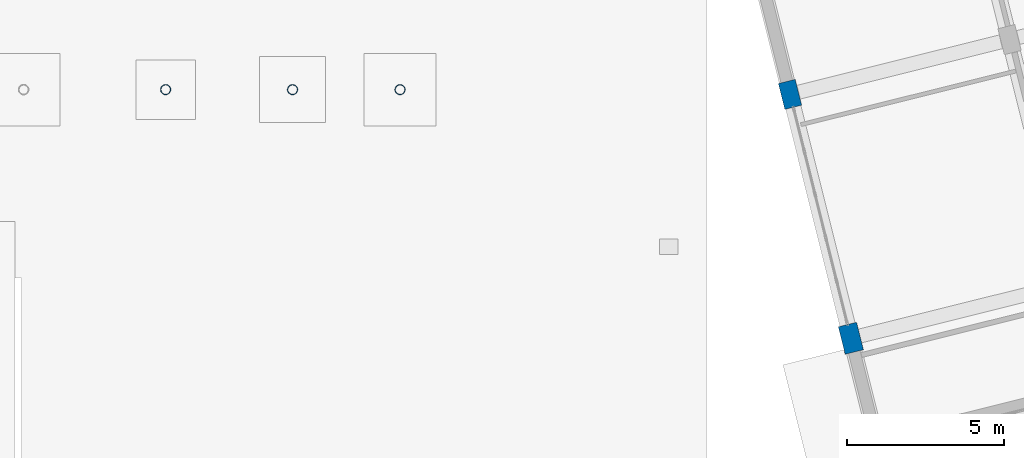
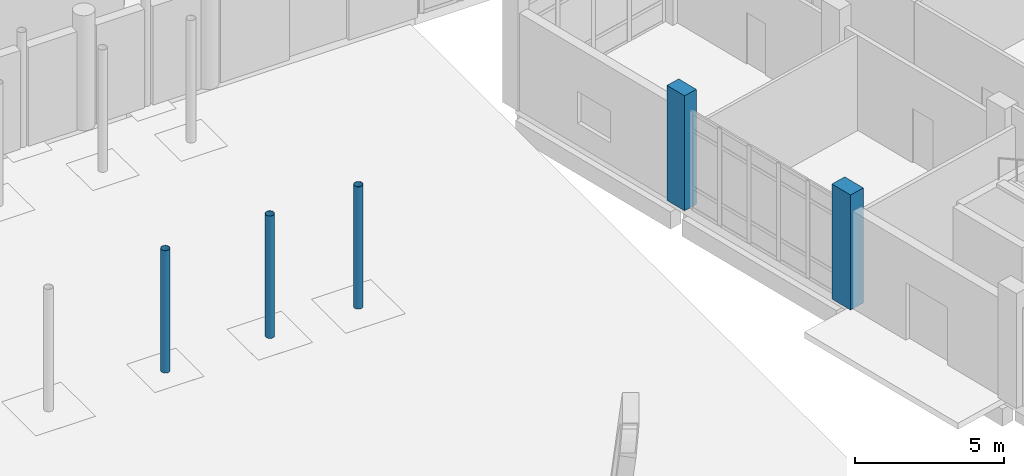
# One storey, part 14 of 173: 5 columns.
"""IFC4 building model written with IfcOpenShell, lengths in metres."""

from ifc_helpers import new_model, si_unit, direction, frame, origin, origin_2d, place, context, subcontext, project, spatial, rectangle, hollow_circle, extrude, material, material_profile, profile_set, type_object, element, save


model = new_model("IFC4")

# Units and contexts
model_context = context("Model", 3, precision=1e-05, world=origin(), true_north=direction((0.0, 1.0)))
body_context = subcontext(model_context, "Body", "Model", "MODEL_VIEW")
ifc_project = project(units=[si_unit("LENGTHUNIT", "METRE"), si_unit("AREAUNIT", "SQUARE_METRE"), si_unit("VOLUMEUNIT", "CUBIC_METRE"), si_unit("PLANEANGLEUNIT", "RADIAN"), si_unit("MASSUNIT", "GRAM", prefix="KILO")], contexts=[model_context])

# Site, building, storey
site_placement = place(None, origin())
site = spatial("IfcSite", under=ifc_project, at=site_placement, CompositionType="ELEMENT")
building_placement = place(site_placement, origin())
building = spatial("IfcBuilding", under=site, at=building_placement, Name="Mawjan Specialist Oncology Clinic", CompositionType="ELEMENT")
storey_placement = place(building_placement, origin())
storey = spatial("IfcBuildingStorey", under=building, at=storey_placement, Name="L00", CompositionType="ELEMENT", Elevation=0.0)

# Columns
ifc_material_1 = material(Name="Concrete C45/55", Category="concrete")
ifc_material_profile_1 = material_profile(ifc_material_1, rectangle(XDim=0.550048828125, YDim=0.85009765625, at=origin_2d()), Name="RC COL 550x850", Category="concrete")
ifc_profile_set_1 = profile_set([ifc_material_profile_1], Name="Concrete C45/55")
column_type_1 = type_object("IfcColumnType", Name="C-550x850", PredefinedType="COLUMN", material=ifc_profile_set_1)
column_1_placement = place(storey_placement, frame((118.258544921875, 31.849365234375, 0.0), z_axis=(0.0, 0.0, 1.0), x_axis=(0.970295726276, 0.2419218956, 0.0)))
element("IfcColumn", 1, at=column_1_placement, inside=storey, type_object=column_type_1, Name="L00 Column R-RA-R5", PredefinedType="COLUMN", context=body_context, shape_type="SweptSolid", body=[
    extrude(rectangle(XDim=0.550048828125, YDim=0.85009765625, at=origin_2d()), origin(), (0.0, 0.0, 1.0), 4.699951171875),
])
ifc_material_2 = material(Name="Concrete C45/55", Category="concrete")
ifc_material_profile_2 = material_profile(ifc_material_2, rectangle(XDim=0.60009765625, YDim=0.89990234375, at=origin_2d()), Name="RC COL 600x900", Category="concrete")
ifc_profile_set_2 = profile_set([ifc_material_profile_2], Name="Concrete C45/55")
column_type_2 = type_object("IfcColumnType", Name="C-600x900", PredefinedType="COLUMN", material=ifc_profile_set_2)
column_2_placement = place(storey_placement, frame((120.19384765625, 24.087158203125, 0.0), z_axis=(0.0, 0.0, 1.0), x_axis=(0.970295726276, 0.2419218956, 0.0)))
element("IfcColumn", 2, at=column_2_placement, inside=storey, type_object=column_type_2, Name="L00 Column R-RA-R4", PredefinedType="COLUMN", context=body_context, shape_type="SweptSolid", body=[
    extrude(rectangle(XDim=0.60009765625, YDim=0.89990234375, at=origin_2d()), origin(), (0.0, 0.0, 1.0), 4.699951171875),
])
ifc_material_3 = material(Name="Structural steel S355", Category="steel")
ifc_material_profile_3 = material_profile(ifc_material_3, hollow_circle(Radius=0.161865234375, WallThickness=0.011962890625, at=origin_2d()), Name="CHS 323.9x12", Category="steel")
ifc_profile_set_3 = profile_set([ifc_material_profile_3], Name="Structural steel S355")
column_type_3 = type_object("IfcColumnType", Name="SC-CHS324", PredefinedType="COLUMN", material=ifc_profile_set_3)
for number, where, z_axis, x_axis, name in (
    (3, (98.388671875, 32.0, 0.0), (0.0, 0.0, 1.0), (1.0, 0.0, 0.0), "Courtyard Canopy Column 9 L00"),
    (4, (102.426513671875, 32.0, 0.0), (0.0, 0.0, 1.0), (1.0, 0.0, 0.0), "Courtyard Canopy Column 10 L00"),
    (5, (105.847412109375, 32.0, 0.0), (0.0, 0.0, 1.0), (1.0, 0.0, 0.0), "Courtyard Canopy Column 11 L00"),
):
    element("IfcColumn", number, at=place(storey_placement, frame(where, z_axis=z_axis, x_axis=x_axis)), inside=storey, type_object=column_type_3, Name=name, PredefinedType="COLUMN", context=body_context, shape_type="SweptSolid", body=[
        extrude(hollow_circle(Radius=0.161865234375, WallThickness=0.011962890625, at=origin_2d()), origin(), (0.0, 0.0, 1.0), 5.0),
    ])

save(model, "model.ifc")
